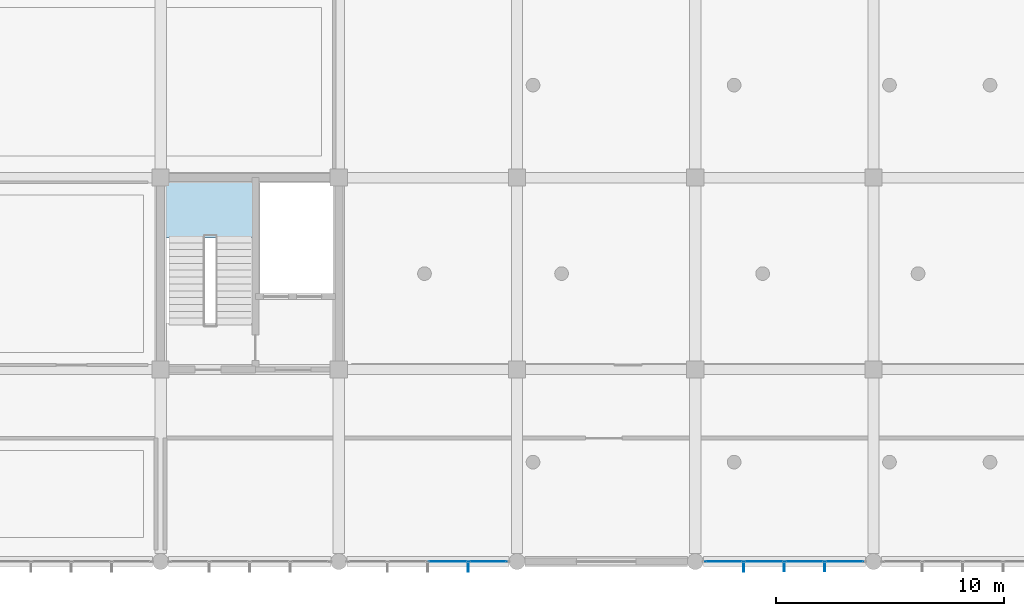
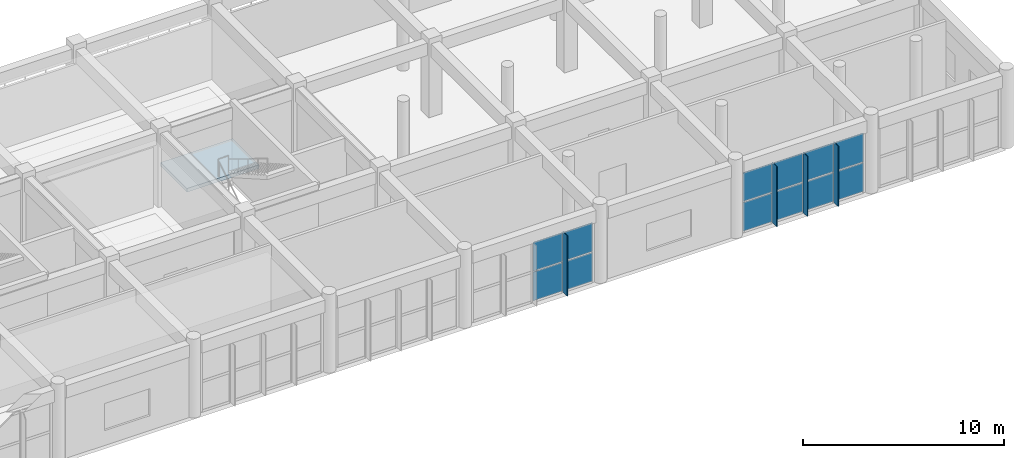
# One storey, part 137 of 175: 16 plates, 1 slab, 3 elements without a shape of their own.
"""IFC4 building model written with IfcOpenShell, lengths in metres."""

import ifcopenshell
import ifcopenshell.guid

model = None  # the IFC model being written
_history = None  # IfcOwnerHistory: only IFC2X3 demands one
_inside = {}  # id of a spatial element -> (the spatial element, [elements in it])
_under = {}  # id of a project, library or spatial element -> (it, [spatial elements below it])
_declared = {}  # id of a project -> (the project, [libraries it declares])
_typed = {}  # id of a type object -> (the type object, [elements of that type])
_made_of = {}  # id of a material, layer set ... -> (it, [elements and type objects made of it])


def new_model(schema):
    """Start an empty IFC model of exactly this schema.

    Asked for "IFC4X3", IfcOpenShell would pick the latest addendum, in which some entities
    have other attributes; the version numbers below select the first issue.
    IFC2X3 requires an IfcOwnerHistory on every rooted entity: one is made here for all.
    """
    global model, _history
    if schema == "IFC4X3":
        model = ifcopenshell.file(schema_version=(4, 3, 0, 0))
    else:
        model = ifcopenshell.file(schema=schema)
    _inside.clear()
    _under.clear()
    _declared.clear()
    _typed.clear()
    _made_of.clear()
    _history = None
    if model.schema == "IFC2X3":
        org = make("IfcOrganization", Name="unknown")
        user = make(
            "IfcPersonAndOrganization",
            ThePerson=make("IfcPerson", FamilyName="unknown"),
            TheOrganization=org,
        )
        app = make(
            "IfcApplication",
            ApplicationDeveloper=org,
            Version="unknown",
            ApplicationFullName="unknown",
            ApplicationIdentifier="unknown",
        )
        _history = make(
            "IfcOwnerHistory",
            OwningUser=user,
            OwningApplication=app,
            ChangeAction="ADDED",
            CreationDate=0,
        )
    return model


def make(cls, **values):
    """One entity of the class cls with the attributes given. An attribute that is None is left unset."""
    return model.create_entity(
        cls, **{name: value for name, value in values.items() if value is not None}
    )


def rooted(cls, **values):
    """An entity with a GlobalId (a new one), such as an element, a storey or a relation."""
    return make(cls, GlobalId=ifcopenshell.guid.new(), OwnerHistory=_history, **values)


def si_unit(unit_type, name, prefix=None):
    """IfcSIUnit, for example si_unit("LENGTHUNIT", "METRE", prefix="MILLI")."""
    return make("IfcSIUnit", UnitType=unit_type, Prefix=prefix, Name=name)


def assignment(units):
    """IfcUnitAssignment: the units of a project."""
    return None if units is None else make("IfcUnitAssignment", Units=units)


def point(xyz):
    """IfcCartesianPoint."""
    return None if xyz is None else make("IfcCartesianPoint", Coordinates=xyz)


def direction(xyz):
    """IfcDirection."""
    return None if xyz is None else make("IfcDirection", DirectionRatios=xyz)


def frame(location, z_axis=None, x_axis=None):
    """IfcAxis2Placement3D, a coordinate frame: its origin and axes. An axis left out is left unset."""
    return make(
        "IfcAxis2Placement3D",
        Location=point(location),
        Axis=direction(z_axis),
        RefDirection=direction(x_axis),
    )


def frame_2d(location, x_axis=None):
    """IfcAxis2Placement2D, a coordinate frame in the plane: its origin and x axis."""
    return make(
        "IfcAxis2Placement2D", Location=point(location), RefDirection=direction(x_axis)
    )


def origin():
    """The frame at (0, 0, 0) with its axes left unset."""
    return frame((0.0, 0.0, 0.0))


def origin_2d():
    """The frame at (0, 0) in the plane with its x axis left unset."""
    return frame_2d((0.0, 0.0))


def place(relative_to, where):
    """IfcLocalPlacement: puts the frame where relative to a parent placement (None: the world)."""
    return make(
        "IfcLocalPlacement", PlacementRelTo=relative_to, RelativePlacement=where
    )


def context(
    kind, dimensions, precision=None, world=None, true_north=None, identifier=None
):
    """IfcGeometricRepresentationContext, for example the 3D "Model" context."""
    return make(
        "IfcGeometricRepresentationContext",
        ContextIdentifier=identifier,
        ContextType=kind,
        CoordinateSpaceDimension=dimensions,
        Precision=precision,
        WorldCoordinateSystem=world,
        TrueNorth=true_north,
    )


def subcontext(parent, identifier, kind, view, scale=None):
    """IfcGeometricRepresentationSubContext, for example "Body" below "Model"."""
    return make(
        "IfcGeometricRepresentationSubContext",
        ContextIdentifier=identifier,
        ContextType=kind,
        ParentContext=parent,
        TargetScale=scale,
        TargetView=view,
    )


def project(units=None, contexts=None):
    """IfcProject with its units and contexts."""
    return rooted(
        "IfcProject",
        Name="project",
        RepresentationContexts=contexts,
        UnitsInContext=assignment(units),
    )


def spatial(cls, under=None, at=None, **own):
    """A site, building, storey or space (cls), placed at a placement, below another one or the project."""
    s = rooted(cls, ObjectPlacement=at, **own)
    if under is not None:
        _under.setdefault(under.id(), (under, []))[1].append(s)
    return s


def polyline(points):
    """IfcPolyline through the points."""
    return make("IfcPolyline", Points=[point(p) for p in points])


def profile(cls, at=None, kind="AREA", **sizes):
    """A parametric profile (cls). Its sizes go by their IFC names, for example OverallWidth=200.0."""
    return make(cls, ProfileType=kind, Position=at, **sizes)


def rectangle(**sizes):
    """IfcRectangleProfileDef."""
    return profile("IfcRectangleProfileDef", **sizes)


def outline(outer, holes=None, kind="AREA"):
    """IfcArbitraryClosedProfileDef: a profile drawn as a closed curve; with holes, ...WithVoids."""
    if holes is None:
        return make("IfcArbitraryClosedProfileDef", ProfileType=kind, OuterCurve=outer)
    return make(
        "IfcArbitraryProfileDefWithVoids",
        ProfileType=kind,
        OuterCurve=outer,
        InnerCurves=holes,
    )


def extrude(swept, where, along, depth):
    """IfcExtrudedAreaSolid: the profile swept, set in the frame where, extruded along a direction by depth."""
    return make(
        "IfcExtrudedAreaSolid",
        SweptArea=swept,
        Position=where,
        ExtrudedDirection=direction(along),
        Depth=depth,
    )


def shape(context_of_items, identifier, shape_type, items):
    """IfcShapeRepresentation: the items that make up one representation, for example the "Body"."""
    return make(
        "IfcShapeRepresentation",
        ContextOfItems=context_of_items,
        RepresentationIdentifier=identifier,
        RepresentationType=shape_type,
        Items=items,
    )


def material(Name=None, Category=None):
    """IfcMaterial."""
    return make("IfcMaterial", Name=Name, Category=Category)


def layer(
    of_material, thickness, ventilated=None, Name=None, Category=None, Priority=None
):
    """IfcMaterialLayer: one layer of a wall or slab, of a material (None: an air gap)."""
    return make(
        "IfcMaterialLayer",
        Material=of_material,
        LayerThickness=thickness,
        IsVentilated=ventilated,
        Name=Name,
        Category=Category,
        Priority=Priority,
    )


def layer_set(layers, Name=None):
    """IfcMaterialLayerSet."""
    return make("IfcMaterialLayerSet", MaterialLayers=layers, LayerSetName=Name)


def made_of(thing, what):
    """Note that an element or type object is made of a material, layer set ...; save() writes the relation."""
    if what is not None:
        _made_of.setdefault(what.id(), (what, []))[1].append(thing)
    return thing


def type_object(cls, material=None, **own):
    """A type object (cls), such as IfcWallType, which elements share."""
    return made_of(rooted(cls, **own), material)


def element(
    cls,
    number,
    at=None,
    inside=None,
    cuts=None,
    type_object=None,
    material=None,
    context=None,
    identifier="Body",
    shape_type=None,
    held_by="IfcProductDefinitionShape",
    body=None,
    shapes=None,
    **own,
):
    """One element of the class cls, such as IfcWall. Its Tag is "e" and its number.

    at: its placement. inside: the storey or other place that contains it. cuts: it is an
    opening in that element (IfcRelVoidsElement). A single representation is given by context,
    identifier, shape_type and body (its items); several are given by shapes. held_by: the class
    of the entity that holds the representations. save() writes the other relations.
    """
    e = rooted(cls, Tag="e%d" % number, ObjectPlacement=at, **own)
    if body is not None:
        shapes = [shape(context, identifier, shape_type, body)]
    if shapes is not None:
        e.Representation = make(held_by, Representations=shapes)
    if inside is not None:
        _inside.setdefault(inside.id(), (inside, []))[1].append(e)
    if cuts is not None:
        rooted(
            "IfcRelVoidsElement", RelatingBuildingElement=cuts, RelatedOpeningElement=e
        )
    if type_object is not None:
        _typed.setdefault(type_object.id(), (type_object, []))[1].append(e)
    return made_of(e, material)


def aggregate(whole, parts):
    """IfcRelAggregates: a whole, such as a stair, and the parts it consists of."""
    return rooted("IfcRelAggregates", RelatingObject=whole, RelatedObjects=parts)


def save(model, path):
    """Write the relations noted so far, then the file.

    IfcRelAggregates (storeys below a building ...), IfcRelContainedInSpatialStructure (elements
    in a storey), IfcRelDefinesByType, IfcRelAssociatesMaterial and IfcRelDeclares: one each for
    every whole, place, type object, material and project.
    """
    for whole, parts in _under.values():
        aggregate(whole, parts)
    for where, things in _inside.values():
        rooted(
            "IfcRelContainedInSpatialStructure",
            RelatedElements=things,
            RelatingStructure=where,
        )
    for kind, things in _typed.values():
        rooted("IfcRelDefinesByType", RelatedObjects=things, RelatingType=kind)
    for what, things in _made_of.values():
        rooted("IfcRelAssociatesMaterial", RelatedObjects=things, RelatingMaterial=what)
    for by, libraries in _declared.values():
        rooted("IfcRelDeclares", RelatingContext=by, RelatedDefinitions=libraries)
    model.write(path)


model = new_model("IFC4")

# Units and contexts
model_context = context("Model", 3, precision=1e-05, world=origin(), true_north=direction((0.0, 1.0)))
body_context = subcontext(model_context, "Body", "Model", "MODEL_VIEW")
ifc_project = project(units=[si_unit("LENGTHUNIT", "METRE"), si_unit("AREAUNIT", "SQUARE_METRE"), si_unit("VOLUMEUNIT", "CUBIC_METRE"), si_unit("PLANEANGLEUNIT", "RADIAN"), si_unit("MASSUNIT", "GRAM", prefix="KILO")], contexts=[model_context])

# Site, building, storey
site_placement = place(None, origin())
site = spatial("IfcSite", under=ifc_project, at=site_placement, CompositionType="ELEMENT")
building_placement = place(site_placement, origin())
building = spatial("IfcBuilding", under=site, at=building_placement, Name="Zizhar Promenade General Hospital", CompositionType="ELEMENT")
storey_placement = place(building_placement, frame((0.0, 0.0, 4.800048828125)))
storey = spatial("IfcBuildingStorey", under=building, at=storey_placement, Name="L01", CompositionType="ELEMENT", Elevation=4.800048828125)

# Curtain wall, plates
ifc_material_1 = material(Name="Anodised aluminium 6063-T6 and low-E glass", Category="aluminium")
ifc_layer_1 = layer(ifc_material_1, 0.159912109375)
ifc_layer_set_1 = layer_set([ifc_layer_1], Name="Anodised aluminium 6063-T6 and low-E glass")
curtain_wall_type = type_object("IfcCurtainWallType", Name="CW-DT-MOD1", PredefinedType="NOTDEFINED", material=ifc_layer_set_1)
curtain_wall_1_placement = place(storey_placement, origin())
curtain_wall_1 = element("IfcCurtainWall", 1, at=curtain_wall_1_placement, inside=storey, type_object=curtain_wall_type, Name="Riverfront Clinical Curtain Wall L01-12", PredefinedType="NOTDEFINED")
ifc_material_2 = material(Name="Low-E solar-control glass", Category="glass")
ifc_layer_2 = layer(ifc_material_2, 0.031982421875)
ifc_layer_set_2 = layer_set([ifc_layer_2], Name="Low-E solar-control glass")
plate_type_1 = type_object("IfcPlateType", Name="CWP-GLZ-32", PredefinedType="CURTAIN_PANEL", material=ifc_layer_set_2)
plate_1_placement = place(storey_placement, frame((107.93505859375, 0.0, 0.06005859375), z_axis=(0.0, 0.0, 1.0), x_axis=(-1.0, 0.0, 0.0)))
plate_1 = element("IfcPlate", 2, at=plate_1_placement, type_object=plate_type_1, Name="CW-07 panel 1.1", PredefinedType="CURTAIN_PANEL", context=body_context, shape_type="SweptSolid", body=[
    extrude(rectangle(XDim=1.64990234375, YDim=0.031982421875, at=origin_2d()), origin(), (0.0, 0.0, 1.0), 1.75),
])
plate_2_placement = place(storey_placement, frame((107.93505859375, 0.0, 1.869873046875), z_axis=(0.0, 0.0, 1.0), x_axis=(-1.0, 0.0, 0.0)))
plate_2 = element("IfcPlate", 3, at=plate_2_placement, type_object=plate_type_1, Name="CW-07 panel 1.2", PredefinedType="CURTAIN_PANEL", context=body_context, shape_type="SweptSolid", body=[
    extrude(rectangle(XDim=1.64990234375, YDim=0.031982421875, at=origin_2d()), origin(), (0.0, 0.0, 1.0), 1.75),
])
plate_3_placement = place(storey_placement, frame((106.18505859375, 0.0, 0.06005859375), z_axis=(0.0, 0.0, 1.0), x_axis=(-1.0, 0.0, 0.0)))
plate_3 = element("IfcPlate", 4, at=plate_3_placement, type_object=plate_type_1, Name="CW-07 panel 2.1", PredefinedType="CURTAIN_PANEL", context=body_context, shape_type="SweptSolid", body=[
    extrude(rectangle(XDim=1.68994140625, YDim=0.031982421875, at=origin_2d()), origin(), (0.0, 0.0, 1.0), 1.75),
])
plate_4_placement = place(storey_placement, frame((106.18505859375, 0.0, 1.869873046875), z_axis=(0.0, 0.0, 1.0), x_axis=(-1.0, 0.0, 0.0)))
plate_4 = element("IfcPlate", 5, at=plate_4_placement, type_object=plate_type_1, Name="CW-07 panel 2.2", PredefinedType="CURTAIN_PANEL", context=body_context, shape_type="SweptSolid", body=[
    extrude(rectangle(XDim=1.68994140625, YDim=0.031982421875, at=origin_2d()), origin(), (0.0, 0.0, 1.0), 1.75),
])
aggregate(curtain_wall_1, [plate_1, plate_2, plate_3, plate_4])

curtain_wall_2_placement = place(storey_placement, origin())
curtain_wall_2 = element("IfcCurtainWall", 6, at=curtain_wall_2_placement, inside=storey, type_object=curtain_wall_type, Name="Riverfront Clinical Curtain Wall L01-14", PredefinedType="NOTDEFINED")
plate_5_placement = place(storey_placement, frame((123.534912109375, 0.0, 0.06005859375), z_axis=(0.0, 0.0, 1.0), x_axis=(-1.0, 0.0, 0.0)))
plate_5 = element("IfcPlate", 7, at=plate_5_placement, type_object=plate_type_1, Name="CW-07 panel 1.1", PredefinedType="CURTAIN_PANEL", context=body_context, shape_type="SweptSolid", body=[
    extrude(rectangle(XDim=1.64990234375, YDim=0.031982421875, at=origin_2d()), origin(), (0.0, 0.0, 1.0), 1.75),
])
plate_6_placement = place(storey_placement, frame((123.534912109375, 0.0, 1.869873046875), z_axis=(0.0, 0.0, 1.0), x_axis=(-1.0, 0.0, 0.0)))
plate_6 = element("IfcPlate", 8, at=plate_6_placement, type_object=plate_type_1, Name="CW-07 panel 1.2", PredefinedType="CURTAIN_PANEL", context=body_context, shape_type="SweptSolid", body=[
    extrude(rectangle(XDim=1.64990234375, YDim=0.031982421875, at=origin_2d()), origin(), (0.0, 0.0, 1.0), 1.75),
])
plate_7_placement = place(storey_placement, frame((121.784912109375, 0.0, 0.06005859375), z_axis=(0.0, 0.0, 1.0), x_axis=(-1.0, 0.0, 0.0)))
plate_7 = element("IfcPlate", 9, at=plate_7_placement, type_object=plate_type_1, Name="CW-07 panel 2.1", PredefinedType="CURTAIN_PANEL", context=body_context, shape_type="SweptSolid", body=[
    extrude(rectangle(XDim=1.68994140625, YDim=0.031982421875, at=origin_2d()), origin(), (0.0, 0.0, 1.0), 1.75),
])
plate_8_placement = place(storey_placement, frame((121.784912109375, 0.0, 1.869873046875), z_axis=(0.0, 0.0, 1.0), x_axis=(-1.0, 0.0, 0.0)))
plate_8 = element("IfcPlate", 10, at=plate_8_placement, type_object=plate_type_1, Name="CW-07 panel 2.2", PredefinedType="CURTAIN_PANEL", context=body_context, shape_type="SweptSolid", body=[
    extrude(rectangle(XDim=1.68994140625, YDim=0.031982421875, at=origin_2d()), origin(), (0.0, 0.0, 1.0), 1.75),
])
plate_9_placement = place(storey_placement, frame((120.014892578125, 0.0, 0.06005859375), z_axis=(0.0, 0.0, 1.0), x_axis=(-1.0, 0.0, 0.0)))
plate_9 = element("IfcPlate", 11, at=plate_9_placement, type_object=plate_type_1, Name="CW-07 panel 3.1", PredefinedType="CURTAIN_PANEL", context=body_context, shape_type="SweptSolid", body=[
    extrude(rectangle(XDim=1.68994140625, YDim=0.031982421875, at=origin_2d()), origin(), (0.0, 0.0, 1.0), 1.75),
])
plate_10_placement = place(storey_placement, frame((120.014892578125, 0.0, 1.869873046875), z_axis=(0.0, 0.0, 1.0), x_axis=(-1.0, 0.0, 0.0)))
plate_10 = element("IfcPlate", 12, at=plate_10_placement, type_object=plate_type_1, Name="CW-07 panel 3.2", PredefinedType="CURTAIN_PANEL", context=body_context, shape_type="SweptSolid", body=[
    extrude(rectangle(XDim=1.68994140625, YDim=0.031982421875, at=origin_2d()), origin(), (0.0, 0.0, 1.0), 1.75),
])
plate_11_placement = place(storey_placement, frame((118.264892578125, 0.0, 0.06005859375), z_axis=(0.0, 0.0, 1.0), x_axis=(-1.0, 0.0, 0.0)))
plate_11 = element("IfcPlate", 13, at=plate_11_placement, type_object=plate_type_1, Name="CW-07 panel 4.1", PredefinedType="CURTAIN_PANEL", context=body_context, shape_type="SweptSolid", body=[
    extrude(rectangle(XDim=1.64990234375, YDim=0.031982421875, at=origin_2d()), origin(), (0.0, 0.0, 1.0), 1.75),
])
plate_12_placement = place(storey_placement, frame((118.264892578125, 0.0, 1.869873046875), z_axis=(0.0, 0.0, 1.0), x_axis=(-1.0, 0.0, 0.0)))
plate_12 = element("IfcPlate", 14, at=plate_12_placement, type_object=plate_type_1, Name="CW-07 panel 4.2", PredefinedType="CURTAIN_PANEL", context=body_context, shape_type="SweptSolid", body=[
    extrude(rectangle(XDim=1.64990234375, YDim=0.031982421875, at=origin_2d()), origin(), (0.0, 0.0, 1.0), 1.75),
])
aggregate(curtain_wall_2, [plate_5, plate_6, plate_7, plate_8, plate_9, plate_10, plate_11, plate_12])

# Plates
ifc_material_3 = material(Name="Anodised aluminium 6063-T6", Category="aluminium")
ifc_layer_3 = layer(ifc_material_3, 0.0400390625)
ifc_layer_set_3 = layer_set([ifc_layer_3], Name="Anodised aluminium 6063-T6")
plate_type_2 = type_object("IfcPlateType", Name="FIN-ALU-450", PredefinedType="USERDEFINED", material=ifc_layer_set_3)
plate_13_placement = place(storey_placement, origin())
element("IfcPlate", 15, at=plate_13_placement, inside=storey, type_object=plate_type_2, Name="Riverfront Clinical Curtain Wall L01-12 Solar Fin 1", ObjectType="SOLAR_SHADE", PredefinedType="USERDEFINED", context=body_context, shape_type="SweptSolid", body=[
    extrude(outline(polyline([(107.090087890625, 0.0), (107.050048828125, 0.0), (107.050048828125, -0.449951171875), (107.090087890625, -0.449951171875), (107.090087890625, 0.0)])), origin(), (0.0, 0.0, 1.0), 3.679931640625),
])
plate_14_placement = place(storey_placement, origin())
element("IfcPlate", 16, at=plate_14_placement, inside=storey, type_object=plate_type_2, Name="Riverfront Clinical Curtain Wall L01-14 Solar Fin 1", ObjectType="SOLAR_SHADE", PredefinedType="USERDEFINED", context=body_context, shape_type="SweptSolid", body=[
    extrude(outline(polyline([(122.68994140625, 0.0), (122.64990234375, 0.0), (122.64990234375, -0.449951171875), (122.68994140625, -0.449951171875), (122.68994140625, 0.0)])), origin(), (0.0, 0.0, 1.0), 3.679931640625),
])
plate_15_placement = place(storey_placement, origin())
element("IfcPlate", 17, at=plate_15_placement, inside=storey, type_object=plate_type_2, Name="Riverfront Clinical Curtain Wall L01-14 Solar Fin 2", ObjectType="SOLAR_SHADE", PredefinedType="USERDEFINED", context=body_context, shape_type="SweptSolid", body=[
    extrude(outline(polyline([(120.919921875, 0.0), (120.8798828125, 0.0), (120.8798828125, -0.449951171875), (120.919921875, -0.449951171875), (120.919921875, 0.0)])), origin(), (0.0, 0.0, 1.0), 3.679931640625),
])
plate_16_placement = place(storey_placement, origin())
element("IfcPlate", 18, at=plate_16_placement, inside=storey, type_object=plate_type_2, Name="Riverfront Clinical Curtain Wall L01-14 Solar Fin 3", ObjectType="SOLAR_SHADE", PredefinedType="USERDEFINED", context=body_context, shape_type="SweptSolid", body=[
    extrude(outline(polyline([(119.14990234375, 0.0), (119.110107421875, 0.0), (119.110107421875, -0.449951171875), (119.14990234375, -0.449951171875), (119.14990234375, 0.0)])), origin(), (0.0, 0.0, 1.0), 3.679931640625),
])

# Stair, slab
ifc_material_4 = material(Name="Concrete C35/45", Category="concrete")
stair_type = type_object("IfcStairType", Name="STR-DOG-480", PredefinedType="HALF_TURN_STAIR", material=ifc_material_4)
stair_placement = place(storey_placement, origin())
stair = element("IfcStair", 19, at=stair_placement, inside=storey, type_object=stair_type, Name="Exit Stair ST-05 (L01 to L02)", PredefinedType="HALF_TURN_STAIR")
ifc_material_5 = material(Name="Concrete C35/45", Category="concrete")
ifc_layer_4 = layer(ifc_material_5, 0.219970703125)
ifc_layer_set_4 = layer_set([ifc_layer_4], Name="Concrete C35/45")
slab_type = type_object("IfcSlabType", Name="SLB-LAND-480", PredefinedType="LANDING", material=ifc_layer_set_4)
slab_placement = place(storey_placement, frame((0.0, 0.0, 2.179931640625)))
slab = element("IfcSlab", 20, at=slab_placement, type_object=slab_type, Name="ST-05A landing 1", PredefinedType="LANDING", context=body_context, shape_type="SweptSolid", body=[
    extrude(outline(polyline([(93.60009765625, 14.169921875), (97.75, 14.169921875), (97.75, 16.800048828125), (93.60009765625, 16.800048828125), (93.60009765625, 14.169921875)])), origin(), (0.0, 0.0, 1.0), 0.219970703125),
])
aggregate(stair, [slab])

save(model, "model.ifc")
